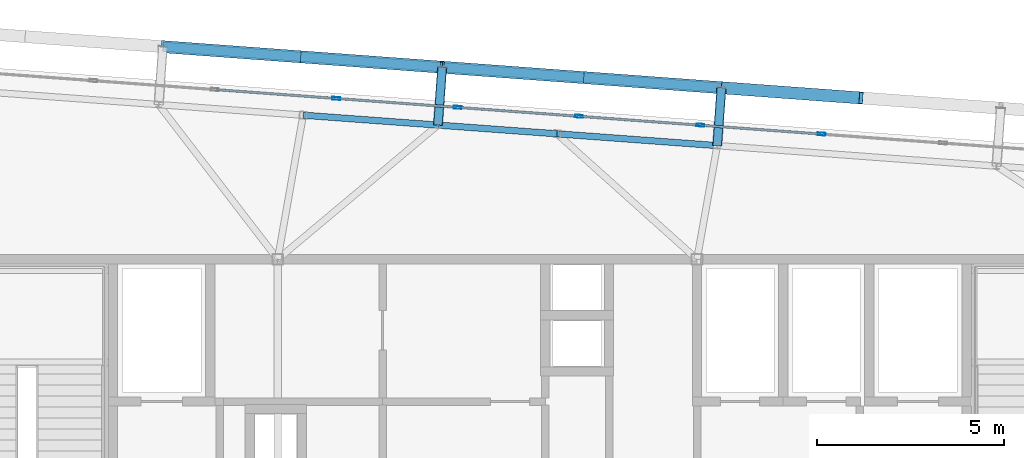
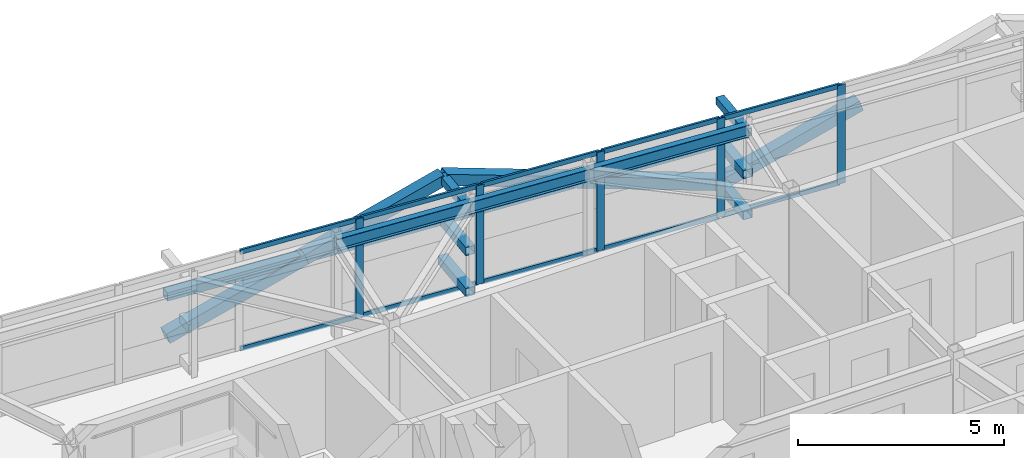
# One storey, part 27 of 42: 28 members, 3 beams, 1 element without a shape of its own.
"""IFC4 building model written with IfcOpenShell, lengths in metres."""

from ifc_helpers import new_model, si_unit, direction, frame, origin, origin_2d, place, context, subcontext, project, spatial, hollow_rectangle, i_section, extrude, source, transform, mapped, material, layer, layer_set, material_profile, profile_set, type_object, element, aggregate, save


model = new_model("IFC4")

# Units and contexts
model_context = context("Model", 3, precision=1e-05, world=origin(), true_north=direction((0.0, 1.0)))
body_context = subcontext(model_context, "Body", "Model", "MODEL_VIEW")
ifc_project = project(units=[si_unit("LENGTHUNIT", "METRE"), si_unit("AREAUNIT", "SQUARE_METRE"), si_unit("VOLUMEUNIT", "CUBIC_METRE"), si_unit("PLANEANGLEUNIT", "RADIAN"), si_unit("MASSUNIT", "GRAM", prefix="KILO")], contexts=[model_context])

# Site, building, storey
site_placement = place(None, origin())
site = spatial("IfcSite", under=ifc_project, at=site_placement, CompositionType="ELEMENT")
building_placement = place(site_placement, origin())
building = spatial("IfcBuilding", under=site, at=building_placement, Name="Taldren Reach Tower", CompositionType="ELEMENT")
storey_placement = place(building_placement, frame((0.0, 0.0, 214.550048828125)))
storey = spatial("IfcBuildingStorey", under=building, at=storey_placement, Name="L65", CompositionType="ELEMENT", Elevation=214.550048828125)

# Members
ifc_material_1 = material(Name="Steel Gr 350 (C350L0)", Category="steel")
ifc_material_profile_1 = material_profile(ifc_material_1, hollow_rectangle(XDim=0.25, YDim=0.25, WallThickness=0.010009765625, at=origin_2d()), Name="250x250x10.0SHS")
ifc_profile_set_1 = profile_set([ifc_material_profile_1], Name="Steel Gr 350 (C350L0)")
member_type_1 = type_object("IfcMemberType", Name="MB-POST250", PredefinedType="POST", material=ifc_profile_set_1)
shared_shape_1 = source(origin(), body_context, "Body", "SweptSolid", [
    extrude(hollow_rectangle(XDim=0.25, YDim=0.25, WallThickness=0.010009765625, at=origin_2d()), origin(), (0.0, 0.0, 1.0), 1.550048828125),
])
for number, where, z_axis, x_axis, name in (
    (1, (32.279541015625, 35.583251953125, 0.219970703125), (0.07323929162, 0.997314396849, 0.0), (-0.997314396849, 0.07323929162, 0.0), "Exoskeleton base diaphragm tie strut B5-N3 L65"),
    (2, (39.739501953125, 35.035400390625, 0.219970703125), (0.07323929162, 0.997314396849, 0.0), (-0.997314396849, 0.07323929162, 0.0), "Exoskeleton base diaphragm tie strut B5-N4 L65"),
    (3, (32.279541015625, 35.583251953125, 1.43505859375), (0.07323929162, 0.997314396849, 0.0), (-0.997314396849, 0.07323929162, 0.0), "Exoskeleton mid-tier diaphragm tie B5-N3 L65"),
    (4, (39.739501953125, 35.035400390625, 1.43505859375), (0.07323929162, 0.997314396849, 0.0), (-0.997314396849, 0.07323929162, 0.0), "Exoskeleton mid-tier diaphragm tie B5-N4 L65"),
):
    element("IfcMember", number, at=place(storey_placement, frame(where, z_axis=z_axis, x_axis=x_axis)), inside=storey, type_object=member_type_1, Name=name, PredefinedType="POST", context=body_context, shape_type="MappedRepresentation", body=[
        mapped(shared_shape_1, transform((0.0, 0.0, 0.0), scale=1.0)),
    ])
ifc_material_2 = material(Name="Steel Gr 450 (C450L0)", Category="steel")
ifc_material_profile_2 = material_profile(ifc_material_2, hollow_rectangle(XDim=0.219970703125, YDim=0.219970703125, WallThickness=0.00830078125, at=origin_2d()), Name="220x220x8.2SHS")
ifc_profile_set_2 = profile_set([ifc_material_profile_2], Name="Steel Gr 450 (C450L0)")
member_type_2 = type_object("IfcMemberType", Name="MB-TIE219", PredefinedType="STRUT", material=ifc_profile_set_2)
shared_shape_2 = source(origin(), body_context, "Body", "SweptSolid", [
    extrude(hollow_rectangle(XDim=0.219970703125, YDim=0.219970703125, WallThickness=0.00830078125, at=origin_2d()), origin(), (0.0, 0.0, 1.0), 1.550048828125),
])
for number, where, z_axis, x_axis, name in (
    (5, (32.279541015625, 35.583251953125, 2.64990234375), (0.07323929162, 0.997314396849, 0.0), (-0.997314396849, 0.07323929162, 0.0), "Exoskeleton diaphragm tie strut B5-N3 L65"),
    (6, (39.739501953125, 35.035400390625, 2.64990234375), (0.07323929162, 0.997314396849, 0.0), (-0.997314396849, 0.07323929162, 0.0), "Exoskeleton diaphragm tie strut B5-N4 L65"),
):
    element("IfcMember", number, at=place(storey_placement, frame(where, z_axis=z_axis, x_axis=x_axis)), inside=storey, type_object=member_type_2, Name=name, PredefinedType="STRUT", context=body_context, shape_type="MappedRepresentation", body=[
        mapped(shared_shape_2, transform((0.0, 0.0, 0.0), scale=1.0)),
    ])

# Beams
ifc_material_3 = material(Name="Steel Gr 350 (350PLUS)", Category="steel")
ifc_material_profile_3 = material_profile(ifc_material_3, i_section(OverallWidth=0.172119140625, OverallDepth=0.35888671875, WebThickness=0.008056640625, FlangeThickness=0.012939453125, at=origin_2d()), Name="360UB56.7")
ifc_profile_set_3 = profile_set([ifc_material_profile_3], Name="Steel Gr 350 (350PLUS)")
beam_type = type_object("IfcBeamType", Name="SP-UB360", PredefinedType="SPANDREL", material=ifc_profile_set_3)
shared_shape_3 = source(origin(), body_context, "Body", "SweptSolid", [
    extrude(i_section(OverallWidth=0.172119140625, OverallDepth=0.35888671875, WebThickness=0.008056640625, FlangeThickness=0.012939453125, at=origin_2d()), origin(), (0.0, 0.0, 1.0), 4.2900390625),
])
beam_1_placement = place(storey_placement, frame((39.739501953125, 35.035400390625, 2.75048828125), z_axis=(-0.997314292471, 0.073240712948, 0.0), x_axis=(-0.073240712948, -0.997314292471, 0.0)))
element("IfcBeam", 7, at=beam_1_placement, inside=storey, type_object=beam_type, Name="Perimeter spandrel B5 N4-PJN2 L65", PredefinedType="SPANDREL", context=body_context, shape_type="MappedRepresentation", body=[
    mapped(shared_shape_3, transform((0.0, 0.0, 0.0), scale=1.0)),
])
shared_shape_4 = source(origin(), body_context, "Body", "SweptSolid", [
    extrude(i_section(OverallWidth=0.172119140625, OverallDepth=0.35888671875, WebThickness=0.008056640625, FlangeThickness=0.012939453125, at=origin_2d()), origin(), (0.0, 0.0, 1.0), 3.18994140625),
])
beam_2_placement = place(storey_placement, frame((35.4609375, 35.349609375, 2.75048828125), z_axis=(-0.99731412404, 0.073243006424, 0.0), x_axis=(-0.073243006424, -0.99731412404, 0.0)))
element("IfcBeam", 8, at=beam_2_placement, inside=storey, type_object=beam_type, Name="Perimeter spandrel B5 PJN2-N3 L65", PredefinedType="SPANDREL", context=body_context, shape_type="MappedRepresentation", body=[
    mapped(shared_shape_4, transform((0.0, 0.0, 0.0), scale=1.0)),
])
shared_shape_5 = source(origin(), body_context, "Body", "SweptSolid", [
    extrude(i_section(OverallWidth=0.172119140625, OverallDepth=0.35888671875, WebThickness=0.008056640625, FlangeThickness=0.012939453125, at=origin_2d()), origin(), (0.0, 0.0, 1.0), 3.610107421875),
])
beam_3_placement = place(storey_placement, frame((32.279541015625, 35.583251953125, 2.75048828125), z_axis=(-0.997314240042, 0.073241426864, 0.0), x_axis=(-0.073241426864, -0.997314240042, 0.0)))
element("IfcBeam", 9, at=beam_3_placement, inside=storey, type_object=beam_type, Name="Perimeter spandrel B5 N3-PJN1 L65", PredefinedType="SPANDREL", context=body_context, shape_type="MappedRepresentation", body=[
    mapped(shared_shape_5, transform((0.0, 0.0, 0.0), scale=1.0)),
])

# Members
ifc_material_profile_4 = material_profile(ifc_material_2, hollow_rectangle(XDim=0.324951171875, YDim=0.324951171875, WallThickness=0.0126953125, at=origin_2d()), Name="325x325x12.7SHS")
ifc_profile_set_4 = profile_set([ifc_material_profile_4], Name="Steel Gr 450 (C450L0)")
member_type_3 = type_object("IfcMemberType", Name="MB-BR324", PredefinedType="BRACE", material=ifc_profile_set_4)
shared_shape_6 = source(origin(), body_context, "Body", "SweptSolid", [
    extrude(hollow_rectangle(XDim=0.324951171875, YDim=0.324951171875, WallThickness=0.0126953125, at=origin_2d()), origin(), (0.0, 0.0, 1.0), 3.932373046875),
])
for number, where, z_axis, x_axis, name in (
    (10, (24.93310546875, 37.677001953125, 0.219970703125), (0.948511132845, -0.069657644394, 0.308989390507), (0.07324169103, 0.997314220642, 0.0), "Exoskeleton Diagrid Brace B5-N2 L65"),
    (11, (28.6630859375, 37.403076171875, 1.43505859375), (0.948529326954, -0.06965898055, 0.308933232813), (0.07324169103, 0.997314220642, 0.0), "Exoskeleton Diagrid Brace B5-N2 L65"),
    (12, (39.85302734375, 36.581298828125, 0.219970703125), (-0.948511132845, 0.069657644394, 0.308989390507), (-0.07324169103, -0.997314220642, 0.0), "Exoskeleton Diagrid Brace B5-N3 L65"),
    (13, (36.123046875, 36.855224609375, 1.43505859375), (-0.948529326954, 0.06965898055, 0.308933232813), (-0.07324169103, -0.997314220642, 0.0), "Exoskeleton Diagrid Brace B5-N3 L65"),
    (14, (39.85302734375, 36.581298828125, 0.219970703125), (0.948511132845, -0.069657644394, 0.308989390507), (0.07324169103, 0.997314220642, 0.0), "Exoskeleton Diagrid Brace B5-N4 L65"),
):
    element("IfcMember", number, at=place(storey_placement, frame(where, z_axis=z_axis, x_axis=x_axis)), inside=storey, type_object=member_type_3, Name=name, PredefinedType="BRACE", context=body_context, shape_type="MappedRepresentation", body=[
        mapped(shared_shape_6, transform((0.0, 0.0, 0.0), scale=1.0)),
    ])
shared_shape_7 = source(origin(), body_context, "Body", "SweptSolid", [
    extrude(hollow_rectangle(XDim=0.25, YDim=0.25, WallThickness=0.010009765625, at=origin_2d()), origin(), (0.0, 0.0, 1.0), 7.47998046875),
])
for number, where, z_axis, x_axis, name in (
    (15, (24.93310546875, 37.677001953125, 1.43505859375), (0.997314220642, -0.07324169103, 0.0), (0.07324169103, 0.997314220642, 0.0), "Exoskeleton mid-height ring chord B5-N2 L65"),
    (16, (32.39306640625, 37.129150390625, 1.43505859375), (0.997314220642, -0.07324169103, 0.0), (0.07324169103, 0.997314220642, 0.0), "Exoskeleton mid-height ring chord B5-N3 L65"),
):
    element("IfcMember", number, at=place(storey_placement, frame(where, z_axis=z_axis, x_axis=x_axis)), inside=storey, type_object=member_type_1, Name=name, PredefinedType="POST", context=body_context, shape_type="MappedRepresentation", body=[
        mapped(shared_shape_7, transform((0.0, 0.0, 0.0), scale=1.0)),
    ])

# Curtain wall, members
ifc_material_4 = material(Name="Aluminium and Low-E Glass Unitised System", Category="aluminium")
ifc_layer = layer(ifc_material_4, 0.159912109375)
ifc_layer_set = layer_set([ifc_layer], Name="Aluminium and Low-E Glass Unitised System")
curtain_wall_type = type_object("IfcCurtainWallType", Name="CW-SYS-6", PredefinedType="NOTDEFINED", material=ifc_layer_set)
curtain_wall_placement = place(storey_placement, origin())
curtain_wall = element("IfcCurtainWall", 17, at=curtain_wall_placement, inside=storey, type_object=curtain_wall_type, Name="Unitised curtain wall CW-L65-N", PredefinedType="NOTDEFINED")
ifc_material_5 = material(Name="Anodised Aluminium 6063-T6", Category="aluminium")
ifc_material_profile_5 = material_profile(ifc_material_5, hollow_rectangle(XDim=0.074951171875, YDim=0.2099609375, WallThickness=0.00439453125, at=origin_2d()), Name="ALU-210x75x4.5RHS")
ifc_profile_set_5 = profile_set([ifc_material_profile_5], Name="Anodised Aluminium 6063-T6")
member_type_4 = type_object("IfcMemberType", Name="CW-MUL-200", PredefinedType="MULLION", material=ifc_profile_set_5)
shared_shape_8 = source(origin(), body_context, "Body", "SweptSolid", [
    extrude(hollow_rectangle(XDim=0.074951171875, YDim=0.2099609375, WallThickness=0.00439453125, at=origin_2d()), origin(), (0.0, 0.0, 1.0), 2.929931640625),
])
member_1_placement = place(storey_placement, frame((42.529541015625, 35.341796875, 0.0), z_axis=(0.0, 0.0, 1.0), x_axis=(-0.073238213716, -0.997314476006, 0.0)))
member_1 = element("IfcMember", 18, at=member_1_placement, type_object=member_type_4, Name="CW-6 mullion 5", PredefinedType="MULLION", context=body_context, shape_type="MappedRepresentation", body=[
    mapped(shared_shape_8, transform((0.0, 0.0, 0.0), scale=1.0)),
])
member_2_placement = place(storey_placement, frame((39.2880859375, 35.579833984375, 0.0), z_axis=(0.0, 0.0, 1.0), x_axis=(-0.073238213716, -0.997314476006, 0.0)))
member_2 = element("IfcMember", 19, at=member_2_placement, type_object=member_type_4, Name="CW-6 mullion 6", PredefinedType="MULLION", context=body_context, shape_type="MappedRepresentation", body=[
    mapped(shared_shape_8, transform((0.0, 0.0, 0.0), scale=1.0)),
])
member_3_placement = place(storey_placement, frame((36.046875, 35.81787109375, 0.0), z_axis=(0.0, 0.0, 1.0), x_axis=(-0.073238213716, -0.997314476006, 0.0)))
member_3 = element("IfcMember", 20, at=member_3_placement, type_object=member_type_4, Name="CW-6 mullion 7", PredefinedType="MULLION", context=body_context, shape_type="MappedRepresentation", body=[
    mapped(shared_shape_8, transform((0.0, 0.0, 0.0), scale=1.0)),
])
member_4_placement = place(storey_placement, frame((32.8056640625, 36.055908203125, 0.0), z_axis=(0.0, 0.0, 1.0), x_axis=(-0.073238213716, -0.997314476006, 0.0)))
member_4 = element("IfcMember", 21, at=member_4_placement, type_object=member_type_4, Name="CW-6 mullion 8", PredefinedType="MULLION", context=body_context, shape_type="MappedRepresentation", body=[
    mapped(shared_shape_8, transform((0.0, 0.0, 0.0), scale=1.0)),
])
member_5_placement = place(storey_placement, frame((29.564453125, 36.2939453125, 0.0), z_axis=(0.0, 0.0, 1.0), x_axis=(-0.073238213716, -0.997314476006, 0.0)))
member_5 = element("IfcMember", 22, at=member_5_placement, type_object=member_type_4, Name="CW-6 mullion 9", PredefinedType="MULLION", context=body_context, shape_type="MappedRepresentation", body=[
    mapped(shared_shape_8, transform((0.0, 0.0, 0.0), scale=1.0)),
])
ifc_material_profile_6 = material_profile(ifc_material_5, hollow_rectangle(XDim=0.06005859375, YDim=0.135009765625, WallThickness=0.00341796875, at=origin_2d()), Name="ALU-135x60x3.5RHS")
ifc_profile_set_6 = profile_set([ifc_material_profile_6], Name="Anodised Aluminium 6063-T6")
member_type_5 = type_object("IfcMemberType", Name="CW-TRN-150", PredefinedType="USERDEFINED", material=ifc_profile_set_6)
shared_shape_9 = source(origin(), body_context, "Body", "SweptSolid", [
    extrude(hollow_rectangle(XDim=0.06005859375, YDim=0.135009765625, WallThickness=0.00341796875, at=origin_2d()), origin(), (0.0, 0.0, 1.0), 3.1748046875),
])
member_6_placement = place(storey_placement, frame((42.491943359375, 35.3447265625, 0.030029296875), z_axis=(-0.997316632709, 0.073208839104, 0.0), x_axis=(-0.073208839104, -0.997316632709, 0.0)))
member_6 = element("IfcMember", 23, at=member_6_placement, type_object=member_type_5, Name="CW-6 transom 5.1", ObjectType="TRANSOM", PredefinedType="USERDEFINED", context=body_context, shape_type="MappedRepresentation", body=[
    mapped(shared_shape_9, transform((0.0, 0.0, 0.0), scale=1.0)),
])
member_7_placement = place(storey_placement, frame((42.491943359375, 35.3447265625, 2.89990234375), z_axis=(-0.997316632709, 0.073208839104, 0.0), x_axis=(-0.073208839104, -0.997316632709, 0.0)))
member_7 = element("IfcMember", 24, at=member_7_placement, type_object=member_type_5, Name="CW-6 transom 5.2", ObjectType="TRANSOM", PredefinedType="USERDEFINED", context=body_context, shape_type="MappedRepresentation", body=[
    mapped(shared_shape_9, transform((0.0, 0.0, 0.0), scale=1.0)),
])
member_8_placement = place(storey_placement, frame((29.52685546875, 36.296630859375, 0.030029296875), z_axis=(-0.997311015151, 0.07328532635, 0.0), x_axis=(-0.07328532635, -0.997311015151, 0.0)))
member_8 = element("IfcMember", 25, at=member_8_placement, type_object=member_type_5, Name="CW-6 transom 9.1", ObjectType="TRANSOM", PredefinedType="USERDEFINED", context=body_context, shape_type="MappedRepresentation", body=[
    mapped(shared_shape_9, transform((0.0, 0.0, 0.0), scale=1.0)),
])
member_9_placement = place(storey_placement, frame((29.52685546875, 36.296630859375, 2.89990234375), z_axis=(-0.997311015151, 0.07328532635, 0.0), x_axis=(-0.07328532635, -0.997311015151, 0.0)))
member_9 = element("IfcMember", 26, at=member_9_placement, type_object=member_type_5, Name="CW-6 transom 9.2", ObjectType="TRANSOM", PredefinedType="USERDEFINED", context=body_context, shape_type="MappedRepresentation", body=[
    mapped(shared_shape_9, transform((0.0, 0.0, 0.0), scale=1.0)),
])
shared_shape_10 = source(origin(), body_context, "Body", "SweptSolid", [
    extrude(hollow_rectangle(XDim=0.06005859375, YDim=0.135009765625, WallThickness=0.00341796875, at=origin_2d()), origin(), (0.0, 0.0, 1.0), 3.175048828125),
])
member_10_placement = place(storey_placement, frame((39.250732421875, 35.582763671875, 0.030029296875), z_axis=(-0.99731704481, 0.073203224877, 0.0), x_axis=(-0.073203224877, -0.99731704481, 0.0)))
member_10 = element("IfcMember", 27, at=member_10_placement, type_object=member_type_5, Name="CW-6 transom 6.1", ObjectType="TRANSOM", PredefinedType="USERDEFINED", context=body_context, shape_type="MappedRepresentation", body=[
    mapped(shared_shape_10, transform((0.0, 0.0, 0.0), scale=1.0)),
])
member_11_placement = place(storey_placement, frame((39.250732421875, 35.582763671875, 2.89990234375), z_axis=(-0.99731704481, 0.073203224877, 0.0), x_axis=(-0.073203224877, -0.99731704481, 0.0)))
member_11 = element("IfcMember", 28, at=member_11_placement, type_object=member_type_5, Name="CW-6 transom 6.2", ObjectType="TRANSOM", PredefinedType="USERDEFINED", context=body_context, shape_type="MappedRepresentation", body=[
    mapped(shared_shape_10, transform((0.0, 0.0, 0.0), scale=1.0)),
])
member_12_placement = place(storey_placement, frame((36.009521484375, 35.82080078125, 0.030029296875), z_axis=(-0.99731704481, 0.073203224877, 0.0), x_axis=(-0.073203224877, -0.99731704481, 0.0)))
member_12 = element("IfcMember", 29, at=member_12_placement, type_object=member_type_5, Name="CW-6 transom 7.1", ObjectType="TRANSOM", PredefinedType="USERDEFINED", context=body_context, shape_type="MappedRepresentation", body=[
    mapped(shared_shape_10, transform((0.0, 0.0, 0.0), scale=1.0)),
])
member_13_placement = place(storey_placement, frame((36.009521484375, 35.82080078125, 2.89990234375), z_axis=(-0.99731704481, 0.073203224877, 0.0), x_axis=(-0.073203224877, -0.99731704481, 0.0)))
member_13 = element("IfcMember", 30, at=member_13_placement, type_object=member_type_5, Name="CW-6 transom 7.2", ObjectType="TRANSOM", PredefinedType="USERDEFINED", context=body_context, shape_type="MappedRepresentation", body=[
    mapped(shared_shape_10, transform((0.0, 0.0, 0.0), scale=1.0)),
])
member_14_placement = place(storey_placement, frame((32.768310546875, 36.05859375, 0.030029296875), z_axis=(-0.997311428111, 0.073279706322, 0.0), x_axis=(-0.073279706322, -0.997311428111, 0.0)))
member_14 = element("IfcMember", 31, at=member_14_placement, type_object=member_type_5, Name="CW-6 transom 8.1", ObjectType="TRANSOM", PredefinedType="USERDEFINED", context=body_context, shape_type="MappedRepresentation", body=[
    mapped(shared_shape_10, transform((0.0, 0.0, 0.0), scale=1.0)),
])
member_15_placement = place(storey_placement, frame((32.768310546875, 36.05859375, 2.89990234375), z_axis=(-0.997311428111, 0.073279706322, 0.0), x_axis=(-0.073279706322, -0.997311428111, 0.0)))
member_15 = element("IfcMember", 32, at=member_15_placement, type_object=member_type_5, Name="CW-6 transom 8.2", ObjectType="TRANSOM", PredefinedType="USERDEFINED", context=body_context, shape_type="MappedRepresentation", body=[
    mapped(shared_shape_10, transform((0.0, 0.0, 0.0), scale=1.0)),
])
aggregate(curtain_wall, [member_1, member_2, member_3, member_4, member_5, member_6, member_7, member_10, member_11, member_12, member_13, member_14, member_15, member_8, member_9])

save(model, "model.ifc")
